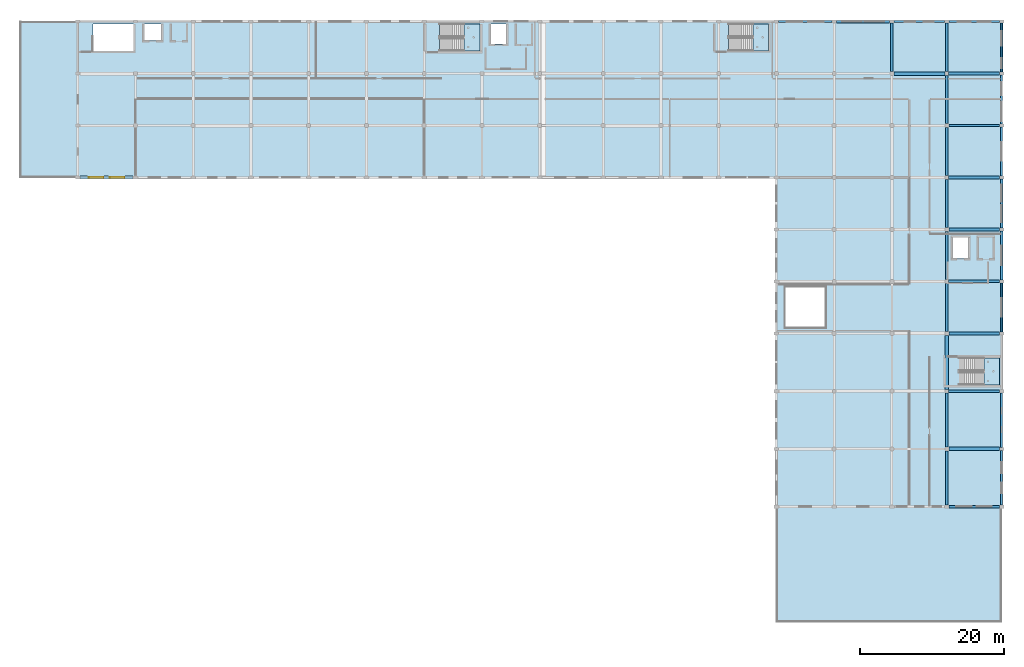
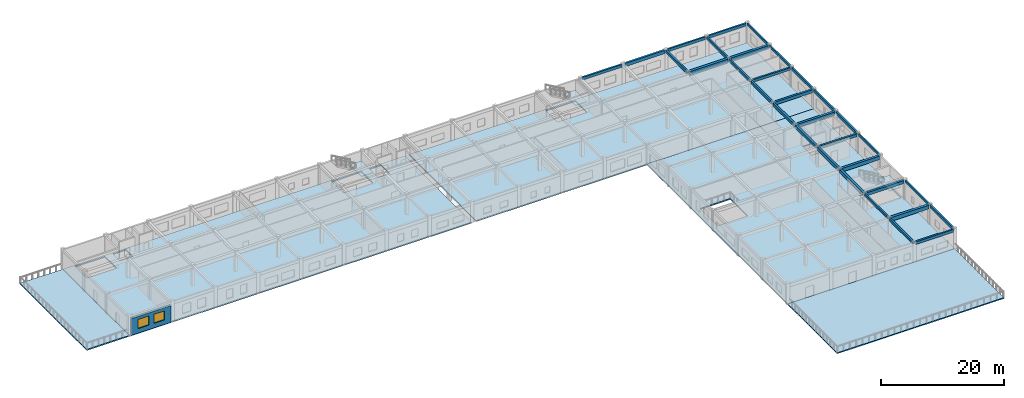
# One storey, part 8 of 19: 32 beams, 8 slabs, 2 windows, 1 wall, 2 openings, 3 elements without a shape of their own.
"""IFC4 building model written with IfcOpenShell, lengths in metres."""

from ifc_helpers import new_model, si_unit, direction, frame, frame_2d, origin, origin_2d, place, context, subcontext, project, spatial, polyline, rectangle, outline, extrude, material, layer, layer_set, material_profile, profile_set, type_object, element, fill, aggregate, save


model = new_model("IFC4")

# Units and contexts
model_context = context("Model", 3, precision=1e-05, world=origin(), true_north=direction((0.0, 1.0)))
body_context = subcontext(model_context, "Body", "Model", "MODEL_VIEW")
ifc_project = project(units=[si_unit("LENGTHUNIT", "METRE"), si_unit("AREAUNIT", "SQUARE_METRE"), si_unit("VOLUMEUNIT", "CUBIC_METRE"), si_unit("PLANEANGLEUNIT", "RADIAN"), si_unit("MASSUNIT", "GRAM", prefix="KILO")], contexts=[model_context])

# Site, building, storey
site_placement = place(None, origin())
site = spatial("IfcSite", under=ifc_project, at=site_placement, CompositionType="ELEMENT")
building_placement = place(site_placement, origin())
building = spatial("IfcBuilding", under=site, at=building_placement, Name="Kharva Crest Polytechnic", CompositionType="ELEMENT")
storey_placement = place(building_placement, frame((0.0, 0.0, 21.60009765625)))
storey = spatial("IfcBuildingStorey", under=building, at=storey_placement, Name="L05", CompositionType="ELEMENT", Elevation=21.60009765625)

# Beams
ifc_material_1 = material(Name="Concrete C35/45", Category="concrete")
ifc_material_profile_1 = material_profile(ifc_material_1, rectangle(XDim=0.300048828125, YDim=0.449951171875, at=origin_2d()), Name="RECT 300 X 450")
ifc_profile_set_1 = profile_set([ifc_material_profile_1], Name="Concrete C35/45")
beam_type_1 = type_object("IfcBeamType", Name="BM-RC-300X450", PredefinedType="BEAM", material=ifc_profile_set_1)
beam_1_placement = place(storey_placement, frame((176.39990234375, 63.074951171875, 3.7548828125), z_axis=(0.0, 1.0, 0.0), x_axis=(-1.0, 0.0, 0.0)))
element("IfcBeam", 1, at=beam_1_placement, inside=storey, type_object=beam_type_1, Name="L05 Girder 23/J-K", PredefinedType="BEAM", context=body_context, shape_type="SweptSolid", body=[
    extrude(rectangle(XDim=0.300048828125, YDim=0.449951171875, at=origin_2d()), origin(), (0.0, 0.0, 1.0), 7.465087890625),
])
beam_2_placement = place(storey_placement, frame((176.39990234375, 115.06005859375, 3.7548828125), z_axis=(0.0, 1.0, 0.0), x_axis=(-1.0, 0.0, 0.0)))
element("IfcBeam", 2, at=beam_2_placement, inside=storey, type_object=beam_type_1, Name="L05 Girder 23/R-S", PredefinedType="BEAM", context=body_context, shape_type="SweptSolid", body=[
    extrude(rectangle(XDim=0.300048828125, YDim=0.449951171875, at=origin_2d()), origin(), (0.0, 0.0, 1.0), 6.71484375),
])
ifc_material_profile_2 = material_profile(ifc_material_1, rectangle(XDim=0.300048828125, YDim=0.47998046875, at=origin_2d()), Name="RECT 300 X 480")
ifc_profile_set_2 = profile_set([ifc_material_profile_2], Name="Concrete C35/45")
beam_type_2 = type_object("IfcBeamType", Name="BM-RC-300X480", PredefinedType="BEAM", material=ifc_profile_set_2)
beam_3_placement = place(storey_placement, frame((176.39990234375, 55.02490234375, 3.739990234375), z_axis=(0.0, 1.0, 0.0), x_axis=(-1.0, 0.0, 0.0)))
element("IfcBeam", 3, at=beam_3_placement, inside=storey, type_object=beam_type_2, Name="L05 Girder 23/H-J", PredefinedType="BEAM", context=body_context, shape_type="SweptSolid", body=[
    extrude(rectangle(XDim=0.300048828125, YDim=0.47998046875, at=origin_2d()), origin(), (0.0, 0.0, 1.0), 7.5),
])
beam_4_placement = place(storey_placement, frame((176.39990234375, 107.875, 3.739990234375), z_axis=(0.0, 1.0, 0.0), x_axis=(-1.0, 0.0, 0.0)))
element("IfcBeam", 4, at=beam_4_placement, inside=storey, type_object=beam_type_2, Name="L05 Girder 23/Q-R", PredefinedType="BEAM", context=body_context, shape_type="SweptSolid", body=[
    extrude(rectangle(XDim=0.300048828125, YDim=0.47998046875, at=origin_2d()), origin(), (0.0, 0.0, 1.0), 6.6650390625),
])
ifc_material_profile_3 = material_profile(ifc_material_1, rectangle(XDim=0.320068359375, YDim=0.5, at=origin_2d()), Name="RECT 320 X 500")
ifc_profile_set_3 = profile_set([ifc_material_profile_3], Name="Concrete C35/45")
beam_type_3 = type_object("IfcBeamType", Name="BM-RC-320X500", PredefinedType="BEAM", material=ifc_profile_set_3)
beam_5_placement = place(storey_placement, frame((176.675048828125, 107.60009765625, 3.72998046875), z_axis=(1.0, 0.0, 0.0), x_axis=(0.0, 1.0, 0.0)))
element("IfcBeam", 5, at=beam_5_placement, inside=storey, type_object=beam_type_3, Name="L05 Beam Q/23-24", PredefinedType="BEAM", context=body_context, shape_type="SweptSolid", body=[
    extrude(rectangle(XDim=0.320068359375, YDim=0.5, at=origin_2d()), origin(), (0.0, 0.0, 1.0), 7.014892578125),
])
ifc_material_profile_4 = material_profile(ifc_material_1, rectangle(XDim=0.340087890625, YDim=0.52001953125, at=origin_2d()), Name="RECT 340 X 520")
ifc_profile_set_4 = profile_set([ifc_material_profile_4], Name="Concrete C35/45")
beam_type_4 = type_object("IfcBeamType", Name="BM-RC-340X520", PredefinedType="BEAM", material=ifc_profile_set_4)
beam_6_placement = place(storey_placement, frame((168.800048828125, 115.074951171875, 3.719970703125), z_axis=(0.0, 1.0, 0.0), x_axis=(-1.0, 0.0, 0.0)))
element("IfcBeam", 6, at=beam_6_placement, inside=storey, type_object=beam_type_4, Name="L05 Girder 22/R-S", PredefinedType="BEAM", context=body_context, shape_type="SweptSolid", body=[
    extrude(rectangle(XDim=0.340087890625, YDim=0.52001953125, at=origin_2d()), origin(), (0.0, 0.0, 1.0), 6.699951171875),
])
beam_7_placement = place(storey_placement, frame((176.39990234375, 100.659912109375, 3.719970703125), z_axis=(0.0, 1.0, 0.0), x_axis=(-1.0, 0.0, 0.0)))
element("IfcBeam", 7, at=beam_7_placement, inside=storey, type_object=beam_type_4, Name="L05 Girder 23/P-Q", PredefinedType="BEAM", context=body_context, shape_type="SweptSolid", body=[
    extrude(rectangle(XDim=0.340087890625, YDim=0.52001953125, at=origin_2d()), origin(), (0.0, 0.0, 1.0), 6.6650390625),
])
ifc_material_profile_5 = material_profile(ifc_material_1, rectangle(XDim=0.35009765625, YDim=0.550048828125, at=origin_2d()), Name="RECT 350 X 550")
ifc_profile_set_5 = profile_set([ifc_material_profile_5], Name="Concrete C35/45")
beam_type_5 = type_object("IfcBeamType", Name="BM-RC-350X550", PredefinedType="BEAM", material=ifc_profile_set_5)
beam_8_placement = place(storey_placement, frame((176.659912109375, 86.0, 3.704833984375), z_axis=(1.0, 0.0, 0.0), x_axis=(0.0, 1.0, 0.0)))
element("IfcBeam", 8, at=beam_8_placement, inside=storey, type_object=beam_type_5, Name="L05 Beam M/23-24", PredefinedType="BEAM", context=body_context, shape_type="SweptSolid", body=[
    extrude(rectangle(XDim=0.35009765625, YDim=0.550048828125, at=origin_2d()), origin(), (0.0, 0.0, 1.0), 7.01513671875),
])
ifc_material_profile_6 = material_profile(ifc_material_1, rectangle(XDim=0.360107421875, YDim=0.580078125, at=origin_2d()), Name="RECT 360 X 580")
ifc_profile_set_6 = profile_set([ifc_material_profile_6], Name="Concrete C35/45")
beam_type_6 = type_object("IfcBeamType", Name="BM-RC-360X580", PredefinedType="BEAM", material=ifc_profile_set_6)
beam_9_placement = place(storey_placement, frame((176.39990234375, 93.47509765625, 3.68994140625), z_axis=(0.0, 1.0, 0.0), x_axis=(-1.0, 0.0, 0.0)))
element("IfcBeam", 9, at=beam_9_placement, inside=storey, type_object=beam_type_6, Name="L05 Girder 23/N-P", PredefinedType="BEAM", context=body_context, shape_type="SweptSolid", body=[
    extrude(rectangle(XDim=0.360107421875, YDim=0.580078125, at=origin_2d()), origin(), (0.0, 0.0, 1.0), 6.664794921875),
])
ifc_material_profile_7 = material_profile(ifc_material_1, rectangle(XDim=0.3798828125, YDim=0.60009765625, at=origin_2d()), Name="RECT 380 X 600")
ifc_profile_set_7 = profile_set([ifc_material_profile_7], Name="Concrete C35/45")
beam_type_7 = type_object("IfcBeamType", Name="BM-RC-380X600", PredefinedType="BEAM", material=ifc_profile_set_7)
for number, where, z_axis, x_axis, name in (
    (10, (176.659912109375, 70.800048828125, 3.679931640625), (1.0, 0.0, 0.0), (0.0, 1.0, 0.0), "L05 Beam K/23-24"),
    (11, (176.659912109375, 100.39990234375, 3.679931640625), (1.0, 0.0, 0.0), (0.0, 1.0, 0.0), "L05 Beam P/23-24"),
):
    element("IfcBeam", number, at=place(storey_placement, frame(where, z_axis=z_axis, x_axis=x_axis)), inside=storey, type_object=beam_type_7, Name=name, PredefinedType="BEAM", context=body_context, shape_type="SweptSolid", body=[
        extrude(rectangle(XDim=0.3798828125, YDim=0.60009765625, at=origin_2d()), origin(), (0.0, 0.0, 1.0), 7.01513671875),
    ])
ifc_material_profile_8 = material_profile(ifc_material_1, rectangle(XDim=0.39990234375, YDim=0.580078125, at=origin_2d()), Name="RECT 400 X 580")
ifc_profile_set_8 = profile_set([ifc_material_profile_8], Name="Concrete C35/45")
beam_type_8 = type_object("IfcBeamType", Name="BM-RC-400X580", PredefinedType="BEAM", material=ifc_profile_set_8)
beam_10_placement = place(storey_placement, frame((176.39990234375, 86.260009765625, 3.68994140625), z_axis=(0.0, 1.0, 0.0), x_axis=(-1.0, 0.0, 0.0)))
element("IfcBeam", 12, at=beam_10_placement, inside=storey, type_object=beam_type_8, Name="L05 Girder 23/M-N", PredefinedType="BEAM", context=body_context, shape_type="SweptSolid", body=[
    extrude(rectangle(XDim=0.39990234375, YDim=0.580078125, at=origin_2d()), origin(), (0.0, 0.0, 1.0), 6.6650390625),
])
ifc_material_profile_9 = material_profile(ifc_material_1, rectangle(XDim=0.39990234375, YDim=0.6201171875, at=origin_2d()), Name="RECT 400 X 620")
ifc_profile_set_9 = profile_set([ifc_material_profile_9], Name="Concrete C35/45")
beam_type_9 = type_object("IfcBeamType", Name="BM-RC-400X620", PredefinedType="BEAM", material=ifc_profile_set_9)
beam_11_placement = place(storey_placement, frame((176.39990234375, 79.074951171875, 3.669921875), z_axis=(0.0, 1.0, 0.0), x_axis=(-1.0, 0.0, 0.0)))
element("IfcBeam", 13, at=beam_11_placement, inside=storey, type_object=beam_type_9, Name="L05 Girder 23/L-M", PredefinedType="BEAM", context=body_context, shape_type="SweptSolid", body=[
    extrude(rectangle(XDim=0.39990234375, YDim=0.6201171875, at=origin_2d()), origin(), (0.0, 0.0, 1.0), 6.6650390625),
])
ifc_material_profile_10 = material_profile(ifc_material_1, rectangle(XDim=0.419921875, YDim=0.659912109375, at=origin_2d()), Name="RECT 420 X 660")
ifc_profile_set_10 = profile_set([ifc_material_profile_10], Name="Concrete C35/45")
beam_type_10 = type_object("IfcBeamType", Name="BM-RC-420X660", PredefinedType="BEAM", material=ifc_profile_set_10)
beam_12_placement = place(storey_placement, frame((176.675048828125, 93.199951171875, 3.64990234375), z_axis=(1.0, 0.0, 0.0), x_axis=(0.0, 1.0, 0.0)))
element("IfcBeam", 14, at=beam_12_placement, inside=storey, type_object=beam_type_10, Name="L05 Beam N/23-24", PredefinedType="BEAM", context=body_context, shape_type="SweptSolid", body=[
    extrude(rectangle(XDim=0.419921875, YDim=0.659912109375, at=origin_2d()), origin(), (0.0, 0.0, 1.0), 7.014892578125),
])
ifc_material_profile_11 = material_profile(ifc_material_1, rectangle(XDim=0.449951171875, YDim=0.679931640625, at=origin_2d()), Name="RECT 450 X 680")
ifc_profile_set_11 = profile_set([ifc_material_profile_11], Name="Concrete C35/45")
beam_type_11 = type_object("IfcBeamType", Name="BM-RC-450X680", PredefinedType="BEAM", material=ifc_profile_set_11)
beam_13_placement = place(storey_placement, frame((176.39990234375, 71.06005859375, 3.639892578125), z_axis=(0.0, 1.0, 0.0), x_axis=(-1.0, 0.0, 0.0)))
element("IfcBeam", 15, at=beam_13_placement, inside=storey, type_object=beam_type_11, Name="L05 Girder 23/K-L", PredefinedType="BEAM", context=body_context, shape_type="SweptSolid", body=[
    extrude(rectangle(XDim=0.449951171875, YDim=0.679931640625, at=origin_2d()), origin(), (0.0, 0.0, 1.0), 7.46484375),
])
ifc_material_profile_12 = material_profile(ifc_material_1, rectangle(XDim=0.449951171875, YDim=0.719970703125, at=origin_2d()), Name="RECT 450 X 720")
ifc_profile_set_12 = profile_set([ifc_material_profile_12], Name="Concrete C35/45")
beam_type_12 = type_object("IfcBeamType", Name="BM-RC-450X720", PredefinedType="BEAM", material=ifc_profile_set_12)
beam_14_placement = place(storey_placement, frame((176.675048828125, 78.800048828125, 3.619873046875), z_axis=(1.0, 0.0, 0.0), x_axis=(0.0, 1.0, 0.0)))
element("IfcBeam", 16, at=beam_14_placement, inside=storey, type_object=beam_type_12, Name="L05 Beam L/23-24", PredefinedType="BEAM", context=body_context, shape_type="SweptSolid", body=[
    extrude(rectangle(XDim=0.449951171875, YDim=0.719970703125, at=origin_2d()), origin(), (0.0, 0.0, 1.0), 7.014892578125),
])
beam_15_placement = place(storey_placement, frame((176.659912109375, 114.800048828125, 3.619873046875), z_axis=(1.0, 0.0, 0.0), x_axis=(0.0, 1.0, 0.0)))
element("IfcBeam", 17, at=beam_15_placement, inside=storey, type_object=beam_type_12, Name="L05 Beam R/23-24", PredefinedType="BEAM", context=body_context, shape_type="SweptSolid", body=[
    extrude(rectangle(XDim=0.449951171875, YDim=0.719970703125, at=origin_2d()), origin(), (0.0, 0.0, 1.0), 7.01513671875),
])
ifc_material_profile_13 = material_profile(ifc_material_1, rectangle(XDim=0.47998046875, YDim=0.75, at=origin_2d()), Name="RECT 480 X 750")
ifc_profile_set_13 = profile_set([ifc_material_profile_13], Name="Concrete C35/45")
beam_type_13 = type_object("IfcBeamType", Name="BM-RC-480X750", PredefinedType="BEAM", material=ifc_profile_set_13)
beam_16_placement = place(storey_placement, frame((176.675048828125, 62.800048828125, 3.60498046875), z_axis=(1.0, 0.0, 0.0), x_axis=(0.0, 1.0, 0.0)))
element("IfcBeam", 18, at=beam_16_placement, inside=storey, type_object=beam_type_13, Name="L05 Beam J/23-24", PredefinedType="BEAM", context=body_context, shape_type="SweptSolid", body=[
    extrude(rectangle(XDim=0.47998046875, YDim=0.75, at=origin_2d()), origin(), (0.0, 0.0, 1.0), 7.014892578125),
])
beam_17_placement = place(storey_placement, frame((169.074951171875, 114.800048828125, 3.60498046875), z_axis=(1.0, 0.0, 0.0), x_axis=(0.0, 1.0, 0.0)))
element("IfcBeam", 19, at=beam_17_placement, inside=storey, type_object=beam_type_13, Name="L05 Beam R/22-23", PredefinedType="BEAM", context=body_context, shape_type="SweptSolid", body=[
    extrude(rectangle(XDim=0.47998046875, YDim=0.75, at=origin_2d()), origin(), (0.0, 0.0, 1.0), 7.06494140625),
])
ifc_material_profile_14 = material_profile(ifc_material_1, rectangle(XDim=0.260009765625, YDim=0.43994140625, at=origin_2d()), Name="RECT 260 X 440")
ifc_profile_set_14 = profile_set([ifc_material_profile_14], Name="Concrete C35/45")
beam_type_14 = type_object("IfcBeamType", Name="SP-RC-260X440", PredefinedType="SPANDREL", material=ifc_profile_set_14)
for number, where, z_axis, x_axis, name in (
    (20, (184.0, 79.02490234375, 3.760009765625), (0.0, 1.0, 0.0), (-1.0, 0.0, 0.0), "L05 Girder 24/L-M"),
    (21, (184.0, 115.02490234375, 3.760009765625), (0.0, 1.0, 0.0), (-1.0, 0.0, 0.0), "L05 Girder 24/R-S"),
):
    element("IfcBeam", number, at=place(storey_placement, frame(where, z_axis=z_axis, x_axis=x_axis)), inside=storey, type_object=beam_type_14, Name=name, PredefinedType="SPANDREL", context=body_context, shape_type="SweptSolid", body=[
        extrude(rectangle(XDim=0.260009765625, YDim=0.43994140625, at=origin_2d()), origin(), (0.0, 0.0, 1.0), 6.75),
    ])
ifc_material_profile_15 = material_profile(ifc_material_1, rectangle(XDim=0.280029296875, YDim=0.4599609375, at=origin_2d()), Name="RECT 280 X 460")
ifc_profile_set_15 = profile_set([ifc_material_profile_15], Name="Concrete C35/45")
beam_type_15 = type_object("IfcBeamType", Name="SP-RC-280X460", PredefinedType="SPANDREL", material=ifc_profile_set_15)
beam_18_placement = place(storey_placement, frame((184.0, 63.02490234375, 3.75), z_axis=(0.0, 1.0, 0.0), x_axis=(-1.0, 0.0, 0.0)))
element("IfcBeam", 22, at=beam_18_placement, inside=storey, type_object=beam_type_15, Name="L05 Girder 24/J-K", PredefinedType="SPANDREL", context=body_context, shape_type="SweptSolid", body=[
    extrude(rectangle(XDim=0.280029296875, YDim=0.4599609375, at=origin_2d()), origin(), (0.0, 0.0, 1.0), 7.550048828125),
])
beam_19_placement = place(storey_placement, frame((184.0, 107.824951171875, 3.75), z_axis=(0.0, 1.0, 0.0), x_axis=(-1.0, 0.0, 0.0)))
element("IfcBeam", 23, at=beam_19_placement, inside=storey, type_object=beam_type_15, Name="L05 Girder 24/Q-R", PredefinedType="SPANDREL", context=body_context, shape_type="SweptSolid", body=[
    extrude(rectangle(XDim=0.280029296875, YDim=0.4599609375, at=origin_2d()), origin(), (0.0, 0.0, 1.0), 6.75),
])
ifc_material_profile_16 = material_profile(ifc_material_1, rectangle(XDim=0.300048828125, YDim=0.52001953125, at=origin_2d()), Name="RECT 300 X 520")
ifc_profile_set_16 = profile_set([ifc_material_profile_16], Name="Concrete C35/45")
beam_type_16 = type_object("IfcBeamType", Name="SP-RC-300X520", PredefinedType="SPANDREL", material=ifc_profile_set_16)
beam_20_placement = place(storey_placement, frame((184.0, 55.02490234375, 3.719970703125), z_axis=(0.0, 1.0, 0.0), x_axis=(-1.0, 0.0, 0.0)))
element("IfcBeam", 24, at=beam_20_placement, inside=storey, type_object=beam_type_16, Name="L05 Girder 24/H-J", PredefinedType="SPANDREL", context=body_context, shape_type="SweptSolid", body=[
    extrude(rectangle(XDim=0.300048828125, YDim=0.52001953125, at=origin_2d()), origin(), (0.0, 0.0, 1.0), 7.550048828125),
])
beam_21_placement = place(storey_placement, frame((184.0, 100.625, 3.719970703125), z_axis=(0.0, 1.0, 0.0), x_axis=(-1.0, 0.0, 0.0)))
element("IfcBeam", 25, at=beam_21_placement, inside=storey, type_object=beam_type_16, Name="L05 Girder 24/P-Q", PredefinedType="SPANDREL", context=body_context, shape_type="SweptSolid", body=[
    extrude(rectangle(XDim=0.300048828125, YDim=0.52001953125, at=origin_2d()), origin(), (0.0, 0.0, 1.0), 6.75),
])
ifc_material_profile_17 = material_profile(ifc_material_1, rectangle(XDim=0.300048828125, YDim=0.550048828125, at=origin_2d()), Name="RECT 300 X 550")
ifc_profile_set_17 = profile_set([ifc_material_profile_17], Name="Concrete C35/45")
beam_type_17 = type_object("IfcBeamType", Name="SP-RC-300X550", PredefinedType="SPANDREL", material=ifc_profile_set_17)
beam_22_placement = place(storey_placement, frame((176.7099609375, 54.800048828125, 3.704833984375), z_axis=(1.0, 0.0, 0.0), x_axis=(0.0, 1.0, 0.0)))
element("IfcBeam", 26, at=beam_22_placement, inside=storey, type_object=beam_type_17, Name="L05 Beam H/23-24", PredefinedType="SPANDREL", context=body_context, shape_type="SweptSolid", body=[
    extrude(rectangle(XDim=0.300048828125, YDim=0.550048828125, at=origin_2d()), origin(), (0.0, 0.0, 1.0), 6.965087890625),
])
beam_23_placement = place(storey_placement, frame((153.110107421875, 122.0, 3.704833984375), z_axis=(1.0, 0.0, 0.0), x_axis=(0.0, 1.0, 0.0)))
element("IfcBeam", 27, at=beam_23_placement, inside=storey, type_object=beam_type_17, Name="L05 Beam S/20-21", PredefinedType="SPANDREL", context=body_context, shape_type="SweptSolid", body=[
    extrude(rectangle(XDim=0.300048828125, YDim=0.550048828125, at=origin_2d()), origin(), (0.0, 0.0, 1.0), 7.364990234375),
])
for number, where, z_axis, x_axis, name in (
    (28, (169.110107421875, 122.0, 3.704833984375), (1.0, 0.0, 0.0), (0.0, 1.0, 0.0), "L05 Beam S/22-23"),
    (29, (176.72509765625, 122.0, 3.704833984375), (1.0, 0.0, 0.0), (0.0, 1.0, 0.0), "L05 Beam S/23-24"),
):
    element("IfcBeam", number, at=place(storey_placement, frame(where, z_axis=z_axis, x_axis=x_axis)), inside=storey, type_object=beam_type_17, Name=name, PredefinedType="SPANDREL", context=body_context, shape_type="SweptSolid", body=[
        extrude(rectangle(XDim=0.300048828125, YDim=0.550048828125, at=origin_2d()), origin(), (0.0, 0.0, 1.0), 6.96484375),
    ])
ifc_material_profile_18 = material_profile(ifc_material_1, rectangle(XDim=0.320068359375, YDim=0.580078125, at=origin_2d()), Name="RECT 320 X 580")
ifc_profile_set_18 = profile_set([ifc_material_profile_18], Name="Concrete C35/45")
beam_type_18 = type_object("IfcBeamType", Name="SP-RC-320X580", PredefinedType="SPANDREL", material=ifc_profile_set_18)
beam_24_placement = place(storey_placement, frame((184.0, 93.425048828125, 3.68994140625), z_axis=(0.0, 1.0, 0.0), x_axis=(-1.0, 0.0, 0.0)))
element("IfcBeam", 30, at=beam_24_placement, inside=storey, type_object=beam_type_18, Name="L05 Girder 24/N-P", PredefinedType="SPANDREL", context=body_context, shape_type="SweptSolid", body=[
    extrude(rectangle(XDim=0.320068359375, YDim=0.580078125, at=origin_2d()), origin(), (0.0, 0.0, 1.0), 6.75),
])
ifc_material_profile_19 = material_profile(ifc_material_1, rectangle(XDim=0.35009765625, YDim=0.6201171875, at=origin_2d()), Name="RECT 350 X 620")
ifc_profile_set_19 = profile_set([ifc_material_profile_19], Name="Concrete C35/45")
beam_type_19 = type_object("IfcBeamType", Name="SP-RC-350X620", PredefinedType="SPANDREL", material=ifc_profile_set_19)
beam_25_placement = place(storey_placement, frame((184.0, 86.22509765625, 3.669921875), z_axis=(0.0, 1.0, 0.0), x_axis=(-1.0, 0.0, 0.0)))
element("IfcBeam", 31, at=beam_25_placement, inside=storey, type_object=beam_type_19, Name="L05 Girder 24/M-N", PredefinedType="SPANDREL", context=body_context, shape_type="SweptSolid", body=[
    extrude(rectangle(XDim=0.35009765625, YDim=0.6201171875, at=origin_2d()), origin(), (0.0, 0.0, 1.0), 6.75),
])
ifc_material_profile_20 = material_profile(ifc_material_1, rectangle(XDim=0.360107421875, YDim=0.64990234375, at=origin_2d()), Name="RECT 360 X 650")
ifc_profile_set_20 = profile_set([ifc_material_profile_20], Name="Concrete C35/45")
beam_type_20 = type_object("IfcBeamType", Name="SP-RC-360X650", PredefinedType="SPANDREL", material=ifc_profile_set_20)
beam_26_placement = place(storey_placement, frame((161.125, 122.0, 3.65478515625), z_axis=(1.0, 0.0, 0.0), x_axis=(0.0, 1.0, 0.0)))
element("IfcBeam", 32, at=beam_26_placement, inside=storey, type_object=beam_type_20, Name="L05 Beam S/21-22", PredefinedType="SPANDREL", context=body_context, shape_type="SweptSolid", body=[
    extrude(rectangle(XDim=0.360107421875, YDim=0.64990234375, at=origin_2d()), origin(), (0.0, 0.0, 1.0), 7.364990234375),
])

# Slabs
ifc_layer_1 = layer(ifc_material_1, 0.22998046875, Name="Concrete C35/45")
ifc_layer_set_1 = layer_set([ifc_layer_1], Name="Concrete C35/45")
slab_type_1 = type_object("IfcSlabType", Name="SLB-FLR-230", PredefinedType="FLOOR", material=ifc_layer_set_1)
slab_1_placement = place(storey_placement, frame((0.0, 0.0, -0.22998046875)))
element("IfcSlab", 33, at=slab_1_placement, inside=storey, type_object=slab_type_1, Name="L05 Structural Slab N_STUDIO_L5-W", PredefinedType="FLOOR", context=body_context, shape_type="SweptSolid", body=[
    extrude(outline(polyline([(56.0, 100.39990234375), (120.0, 100.39990234375), (120.0, 122.0), (56.0, 122.0), (56.0, 100.39990234375)]), holes=[polyline([(58.1298828125, 117.93994140625), (63.699951171875, 117.93994140625), (63.699951171875, 121.699951171875), (58.1298828125, 121.699951171875), (58.1298828125, 117.93994140625)]), polyline([(65.199951171875, 119.39990234375), (67.60009765625, 119.39990234375), (67.60009765625, 121.699951171875), (65.199951171875, 121.699951171875), (65.199951171875, 119.39990234375)]), polyline([(106.1298828125, 117.93994140625), (111.699951171875, 117.93994140625), (111.699951171875, 121.699951171875), (106.1298828125, 121.699951171875), (106.1298828125, 117.93994140625)]), polyline([(113.199951171875, 118.89990234375), (115.39990234375, 118.89990234375), (115.39990234375, 121.699951171875), (113.199951171875, 121.699951171875), (113.199951171875, 118.89990234375)])]), origin(), (0.0, 0.0, 1.0), 0.22998046875),
])
slab_2_placement = place(storey_placement, frame((0.0, 0.0, -0.22998046875)))
element("IfcSlab", 34, at=slab_2_placement, inside=storey, type_object=slab_type_1, Name="L05 Structural Slab N_STUDIO_L5-E", PredefinedType="FLOOR", context=body_context, shape_type="SweptSolid", body=[
    extrude(outline(polyline([(120.800048828125, 100.39990234375), (184.0, 100.39990234375), (184.0, 122.0), (120.800048828125, 122.0), (120.800048828125, 100.39990234375)]), holes=[polyline([(146.169921875, 117.93994140625), (151.699951171875, 117.93994140625), (151.699951171875, 121.699951171875), (146.169921875, 121.699951171875), (146.169921875, 117.93994140625)])]), origin(), (0.0, 0.0, 1.0), 0.22998046875),
])
slab_3_placement = place(storey_placement, frame((0.0, 0.0, -0.22998046875)))
element("IfcSlab", 35, at=slab_3_placement, inside=storey, type_object=slab_type_1, Name="L05 Structural Slab E_STUDIO_L5", PredefinedType="FLOOR", context=body_context, shape_type="SweptSolid", body=[
    extrude(outline(polyline([(152.800048828125, 54.800048828125), (184.0, 54.800048828125), (184.0, 100.39990234375), (152.800048828125, 100.39990234375), (152.800048828125, 54.800048828125)]), holes=[polyline([(178.1298828125, 71.669921875), (183.699951171875, 71.669921875), (183.699951171875, 75.429931640625), (178.1298828125, 75.429931640625), (178.1298828125, 71.669921875)]), polyline([(177.199951171875, 89.199951171875), (179.39990234375, 89.199951171875), (179.39990234375, 92.10009765625), (177.199951171875, 92.10009765625), (177.199951171875, 89.199951171875)]), polyline([(154.0, 79.60009765625), (159.60009765625, 79.60009765625), (159.60009765625, 85.199951171875), (154.0, 85.199951171875), (154.0, 79.60009765625)])]), origin(), (0.0, 0.0, 1.0), 0.22998046875),
])

# Stair, slab
stair_type_1 = type_object("IfcStairType", Name="STR-DOGLEG-1780", PredefinedType="TWO_STRAIGHT_RUN_STAIR", material=ifc_material_1)
stair_1_placement = place(storey_placement, origin())
stair_1 = element("IfcStair", 36, at=stair_1_placement, inside=storey, type_object=stair_type_1, Name="L05 North Crest Firefighting Core C4", PredefinedType="TWO_STRAIGHT_RUN_STAIR")
ifc_layer_2 = layer(ifc_material_1, 0.199951171875, Name="Concrete C35/45")
ifc_layer_set_2 = layer_set([ifc_layer_2], Name="Concrete C35/45")
slab_type_2 = type_object("IfcSlabType", Name="SLB-LAND-200", PredefinedType="LANDING", material=ifc_layer_set_2)
slab_4_placement = place(storey_placement, frame((0.0, 0.0, 1.89990234375)))
slab_4 = element("IfcSlab", 37, at=slab_4_placement, type_object=slab_type_2, Name="ST-04 landing 1", PredefinedType="LANDING", context=body_context, shape_type="SweptSolid", body=[
    extrude(outline(polyline([(109.534912109375, 117.93994140625), (111.699951171875, 117.93994140625), (111.699951171875, 121.699951171875), (109.534912109375, 121.699951171875), (109.534912109375, 117.93994140625)])), origin(), (0.0, 0.0, 1.0), 0.199951171875),
])
aggregate(stair_1, [slab_4])

stair_2_placement = place(storey_placement, origin())
stair_2 = element("IfcStair", 38, at=stair_2_placement, inside=storey, type_object=stair_type_1, Name="L05 East Crest Firefighting Core C5", PredefinedType="TWO_STRAIGHT_RUN_STAIR")
slab_5_placement = place(storey_placement, frame((0.0, 0.0, 1.89990234375)))
slab_5 = element("IfcSlab", 39, at=slab_5_placement, type_object=slab_type_2, Name="ST-05 landing 1", PredefinedType="LANDING", context=body_context, shape_type="SweptSolid", body=[
    extrude(outline(polyline([(181.534912109375, 71.669921875), (183.699951171875, 71.669921875), (183.699951171875, 75.429931640625), (181.534912109375, 75.429931640625), (181.534912109375, 71.669921875)])), origin(), (0.0, 0.0, 1.0), 0.199951171875),
])
aggregate(stair_2, [slab_5])

stair_type_2 = type_object("IfcStairType", Name="STR-DOGLEG-1820", PredefinedType="TWO_STRAIGHT_RUN_STAIR", material=ifc_material_1)
stair_3_placement = place(storey_placement, origin())
stair_3 = element("IfcStair", 40, at=stair_3_placement, inside=storey, type_object=stair_type_2, Name="L05 North-East Library Wing Stair C9", PredefinedType="TWO_STRAIGHT_RUN_STAIR")
slab_6_placement = place(storey_placement, frame((0.0, 0.0, 1.89990234375)))
slab_6 = element("IfcSlab", 41, at=slab_6_placement, type_object=slab_type_2, Name="ST-09 landing 1", PredefinedType="LANDING", context=body_context, shape_type="SweptSolid", body=[
    extrude(outline(polyline([(149.574951171875, 117.93994140625), (151.699951171875, 117.93994140625), (151.699951171875, 121.699951171875), (149.574951171875, 121.699951171875), (149.574951171875, 117.93994140625)])), origin(), (0.0, 0.0, 1.0), 0.199951171875),
])
aggregate(stair_3, [slab_6])

# Slabs
ifc_layer_3 = layer(ifc_material_1, 0.205078125, Name="Concrete C35/45")
ifc_layer_set_3 = layer_set([ifc_layer_3], Name="Concrete C35/45")
slab_type_3 = type_object("IfcSlabType", Name="SLB-TER-205", PredefinedType="FLOOR", material=ifc_layer_set_3)
slab_7_placement = place(storey_placement, frame((0.0, 0.0, -0.205078125)))
element("IfcSlab", 42, at=slab_7_placement, inside=storey, type_object=slab_type_3, Name="L05 Outdoor Terrace Slab TER_E_L05", PredefinedType="FLOOR", context=body_context, shape_type="SweptSolid", body=[
    extrude(outline(polyline([(152.800048828125, 38.800048828125), (184.0, 38.800048828125), (184.0, 54.800048828125), (152.800048828125, 54.800048828125), (152.800048828125, 38.800048828125)])), origin(), (0.0, 0.0, 1.0), 0.205078125),
])
ifc_layer_4 = layer(ifc_material_1, 0.215087890625, Name="Concrete C35/45")
ifc_layer_set_4 = layer_set([ifc_layer_4], Name="Concrete C35/45")
slab_type_4 = type_object("IfcSlabType", Name="SLB-TER-215", PredefinedType="FLOOR", material=ifc_layer_set_4)
slab_8_placement = place(storey_placement, frame((0.0, 0.0, -0.215087890625)))
element("IfcSlab", 43, at=slab_8_placement, inside=storey, type_object=slab_type_4, Name="L05 Outdoor Terrace Slab TER_N_L05", PredefinedType="FLOOR", context=body_context, shape_type="SweptSolid", body=[
    extrude(outline(polyline([(48.0, 100.39990234375), (56.0, 100.39990234375), (56.0, 122.0), (48.0, 122.0), (48.0, 100.39990234375)])), origin(), (0.0, 0.0, 1.0), 0.215087890625),
])

# Wall, openings, windows
ifc_material_2 = material(Name="Kiln brick masonry", Category="masonry")
ifc_layer_5 = layer(ifc_material_2, 0.364990234375, Name="Kiln brick masonry")
ifc_layer_set_5 = layer_set([ifc_layer_5], Name="Kiln brick masonry")
wall_type = type_object("IfcWallType", Name="WL-EXT-BRK-365", PredefinedType="SOLIDWALL", material=ifc_layer_set_5)
wall_placement = place(storey_placement, frame((56.304931640625, 100.39990234375, 0.0), z_axis=(0.0, 0.0, 1.0), x_axis=(1.0, 0.0, 0.0)))
wall = element("IfcWall", 44, at=wall_placement, inside=storey, type_object=wall_type, Name="L05 Exterior Brick Wall 442", PredefinedType="SOLIDWALL", context=body_context, shape_type="SweptSolid", body=[
    extrude(rectangle(XDim=7.375, YDim=0.364990234375, at=frame_2d((3.6875, 0.0))), origin(), (0.0, 0.0, 1.0), 3.2998046875),
])
opening_1_placement = place(wall_placement, frame((1.23193359375, 0.0, 0.89990234375)))
opening_1 = element("IfcOpeningElement", 45, at=opening_1_placement, cuts=wall, Name="Opening W04", PredefinedType="OPENING", context=body_context, shape_type="SweptSolid", body=[
    extrude(rectangle(XDim=2.0, YDim=1.800048828125, at=frame_2d((1.0, 0.89990234375))), frame((0.0, 0.1923828125, 0.0), z_axis=(0.0, -1.0, 0.0), x_axis=(1.0, 0.0, 0.0)), (0.0, 0.0, 1.0), 0.385009765625),
])
opening_2_placement = place(wall_placement, frame((4.14306640625, 0.0, 0.89990234375)))
opening_2 = element("IfcOpeningElement", 46, at=opening_2_placement, cuts=wall, Name="Opening W04", PredefinedType="OPENING", context=body_context, shape_type="SweptSolid", body=[
    extrude(rectangle(XDim=2.0, YDim=1.800048828125, at=frame_2d((1.0, 0.89990234375))), frame((0.0, 0.1923828125, 0.0), z_axis=(0.0, -1.0, 0.0), x_axis=(1.0, 0.0, 0.0)), (0.0, 0.0, 1.0), 0.385009765625),
])
ifc_material_3 = material(Name="Anodised aluminium", Category="aluminium")
window_type = type_object("IfcWindowType", Name="WIN-ALU-2000X1800", PartitioningType="SINGLE_PANEL", PredefinedType="WINDOW", material=ifc_material_3)
window_1_placement = place(opening_1_placement, origin())
window_1 = element("IfcWindow", 47, at=window_1_placement, inside=storey, type_object=window_type, Name="L05 Exterior Window 622", OverallHeight=1.800048828125, OverallWidth=2.0, PartitioningType="SINGLE_PANEL", PredefinedType="WINDOW", context=body_context, shape_type="SweptSolid", body=[
    extrude(rectangle(XDim=2.0, YDim=1.800048828125, at=frame_2d((1.0, 0.89990234375))), frame((0.0, 0.030029296875, 0.0), z_axis=(0.0, -1.0, 0.0), x_axis=(1.0, 0.0, 0.0)), (0.0, 0.0, 1.0), 0.06005859375),
])
fill(opening_1, window_1)
window_2_placement = place(opening_2_placement, origin())
window_2 = element("IfcWindow", 48, at=window_2_placement, inside=storey, type_object=window_type, Name="L05 Exterior Window 623", OverallHeight=1.800048828125, OverallWidth=2.0, PartitioningType="SINGLE_PANEL", PredefinedType="WINDOW", context=body_context, shape_type="SweptSolid", body=[
    extrude(rectangle(XDim=2.0, YDim=1.800048828125, at=frame_2d((1.0, 0.89990234375))), frame((0.0, 0.030029296875, 0.0), z_axis=(0.0, -1.0, 0.0), x_axis=(1.0, 0.0, 0.0)), (0.0, 0.0, 1.0), 0.06005859375),
])
fill(opening_2, window_2)

save(model, "model.ifc")
